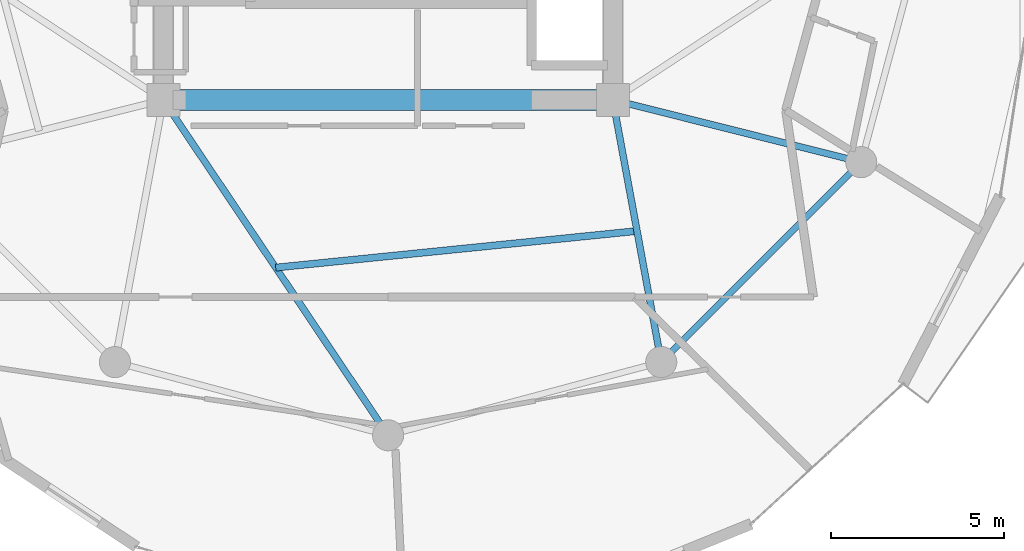
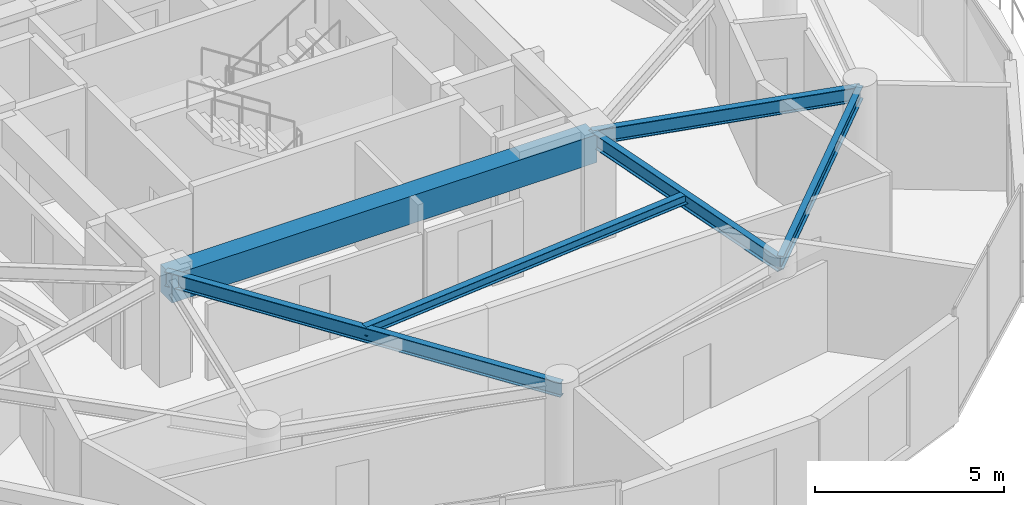
# One storey, part 7 of 24: 6 beams.
"""IFC4 building model written with IfcOpenShell, lengths in metres."""

from ifc_helpers import new_model, si_unit, direction, frame, origin, origin_2d, place, context, subcontext, project, spatial, rectangle, i_section, extrude, material, material_profile, profile_set, type_object, element, save


model = new_model("IFC4")

# Units and contexts
model_context = context("Model", 3, precision=1e-05, world=origin(), true_north=direction((0.0, 1.0)))
body_context = subcontext(model_context, "Body", "Model", "MODEL_VIEW")
ifc_project = project(units=[si_unit("LENGTHUNIT", "METRE"), si_unit("AREAUNIT", "SQUARE_METRE"), si_unit("VOLUMEUNIT", "CUBIC_METRE"), si_unit("PLANEANGLEUNIT", "RADIAN"), si_unit("MASSUNIT", "GRAM", prefix="KILO")], contexts=[model_context])

# Site, building, storey
site_placement = place(None, origin())
site = spatial("IfcSite", under=ifc_project, at=site_placement, CompositionType="ELEMENT")
building_placement = place(site_placement, origin())
building = spatial("IfcBuilding", under=site, at=building_placement, Name="Solvirekh Grand Hotel", CompositionType="ELEMENT")
storey_placement = place(building_placement, frame((0.0, 0.0, 184.0)))
storey = spatial("IfcBuildingStorey", under=building, at=storey_placement, Name="L47", CompositionType="ELEMENT", Elevation=184.0)

# Beams
ifc_material_1 = material(Name="Concrete C50/60", Category="concrete")
ifc_material_profile_1 = material_profile(ifc_material_1, rectangle(XDim=0.60009765625, YDim=0.89990234375, at=origin_2d()), Name="RC BEAM 600X900")
ifc_profile_set_1 = profile_set([ifc_material_profile_1], Name="Concrete C50/60")
beam_type_1 = type_object("IfcBeamType", Name="Beam_Core_RC900", PredefinedType="BEAM", material=ifc_profile_set_1)
beam_1_placement = place(storey_placement, frame((-6.5, -6.10009765625, 2.909912109375), z_axis=(1.0, 0.0, 0.0), x_axis=(0.0, 1.0, 0.0)))
element("IfcBeam", 1, at=beam_1_placement, inside=storey, type_object=beam_type_1, Name="L47 core coupling ring beam 1", PredefinedType="BEAM", context=body_context, shape_type="SweptSolid", body=[
    extrude(rectangle(XDim=0.60009765625, YDim=0.89990234375, at=origin_2d()), origin(), (0.0, 0.0, 1.0), 13.0),
])
ifc_material_2 = material(Name="Steel S355", Category="steel")
ifc_material_profile_2 = material_profile(ifc_material_2, i_section(OverallWidth=0.194091796875, OverallDepth=0.468994140625, WebThickness=0.010986328125, FlangeThickness=0.01904296875, FilletRadius=0.012939453125, at=origin_2d()), Name="W460X106")
ifc_profile_set_2 = profile_set([ifc_material_profile_2], Name="Steel S355")
beam_type_2 = type_object("IfcBeamType", Name="Beam_Radial_W460H", PredefinedType="BEAM", material=ifc_profile_set_2)
beam_2_placement = place(storey_placement, frame((-6.5, -6.10009765625, 3.1259765625), z_axis=(0.556676926176, -0.830729077295, 0.0), x_axis=(0.830729077295, 0.556676926176, 0.0)))
element("IfcBeam", 2, at=beam_2_placement, inside=storey, type_object=beam_type_2, Name="L47 radial floor beam R10", PredefinedType="BEAM", context=body_context, shape_type="SweptSolid", body=[
    extrude(i_section(OverallWidth=0.194091796875, OverallDepth=0.468994140625, WebThickness=0.010986328125, FlangeThickness=0.01904296875, FilletRadius=0.012939453125, at=origin_2d()), origin(), (0.0, 0.0, 1.0), 11.676513671875),
])
beam_3_placement = place(storey_placement, frame((6.5, -6.10009765625, 3.1259765625), z_axis=(0.181542769111, -0.983383049978, 0.0), x_axis=(0.983383049978, 0.181542769111, 0.0)))
element("IfcBeam", 3, at=beam_3_placement, inside=storey, type_object=beam_type_2, Name="L47 radial floor beam R11", PredefinedType="BEAM", context=body_context, shape_type="SweptSolid", body=[
    extrude(i_section(OverallWidth=0.194091796875, OverallDepth=0.468994140625, WebThickness=0.010986328125, FlangeThickness=0.01904296875, FilletRadius=0.012939453125, at=origin_2d()), origin(), (0.0, 0.0, 1.0), 7.711181640625),
])
beam_4_placement = place(storey_placement, frame((6.5, -6.10009765625, 3.1259765625), z_axis=(0.970014367692, -0.243047580675, 0.0), x_axis=(0.243047580675, 0.970014367692, 0.0)))
element("IfcBeam", 4, at=beam_4_placement, inside=storey, type_object=beam_type_2, Name="L47 radial floor beam R12", PredefinedType="BEAM", context=body_context, shape_type="SweptSolid", body=[
    extrude(i_section(OverallWidth=0.194091796875, OverallDepth=0.468994140625, WebThickness=0.010986328125, FlangeThickness=0.01904296875, FilletRadius=0.012939453125, at=origin_2d()), origin(), (0.0, 0.0, 1.0), 7.4052734375),
])
ifc_material_profile_3 = material_profile(ifc_material_2, i_section(OverallWidth=0.202880859375, OverallDepth=0.302978515625, WebThickness=0.008056640625, FlangeThickness=0.012939453125, FilletRadius=0.010009765625, at=origin_2d()), Name="W310X60")
ifc_profile_set_3 = profile_set([ifc_material_profile_3], Name="Steel S355")
beam_type_3 = type_object("IfcBeamType", Name="Joist_Floor_W310", PredefinedType="JOIST", material=ifc_profile_set_3)
beam_5_placement = place(storey_placement, frame((-3.25, -10.949951171875, 3.208984375), z_axis=(0.994915167737, 0.100716478326, 0.0), x_axis=(-0.100716478326, 0.994915167737, 0.0)))
element("IfcBeam", 5, at=beam_5_placement, inside=storey, type_object=beam_type_3, Name="L47 secondary composite floor joist 10", PredefinedType="JOIST", context=body_context, shape_type="SweptSolid", body=[
    extrude(i_section(OverallWidth=0.202880859375, OverallDepth=0.302978515625, WebThickness=0.008056640625, FlangeThickness=0.012939453125, FilletRadius=0.010009765625, at=origin_2d()), origin(), (0.0, 0.0, 1.0), 10.50341796875),
])
ifc_material_profile_4 = material_profile(ifc_material_2, i_section(OverallWidth=0.180908203125, OverallDepth=0.4169921875, WebThickness=0.010009765625, FlangeThickness=0.01611328125, FilletRadius=0.011962890625, at=origin_2d()), Name="W410X85")
ifc_profile_set_4 = profile_set([ifc_material_profile_4], Name="Steel S355")
beam_type_4 = type_object("IfcBeamType", Name="Spandrel_Ring_W410", PredefinedType="SPANDREL", material=ifc_profile_set_4)
beam_6_placement = place(storey_placement, frame((7.89990234375, -13.68310546875, 3.152099609375), z_axis=(0.707106781187, 0.707106781187, 0.0), x_axis=(-0.707106781187, 0.707106781187, 0.0)))
element("IfcBeam", 6, at=beam_6_placement, inside=storey, type_object=beam_type_4, Name="L47 perimeter spandrel beam 11", PredefinedType="SPANDREL", context=body_context, shape_type="SweptSolid", body=[
    extrude(i_section(OverallWidth=0.180908203125, OverallDepth=0.4169921875, WebThickness=0.010009765625, FlangeThickness=0.01611328125, FilletRadius=0.011962890625, at=origin_2d()), origin(), (0.0, 0.0, 1.0), 8.1787109375),
])

save(model, "model.ifc")
